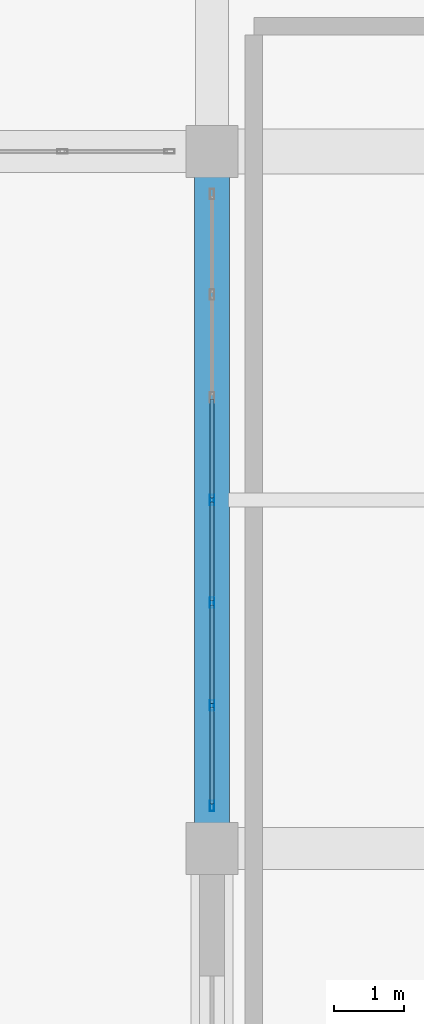
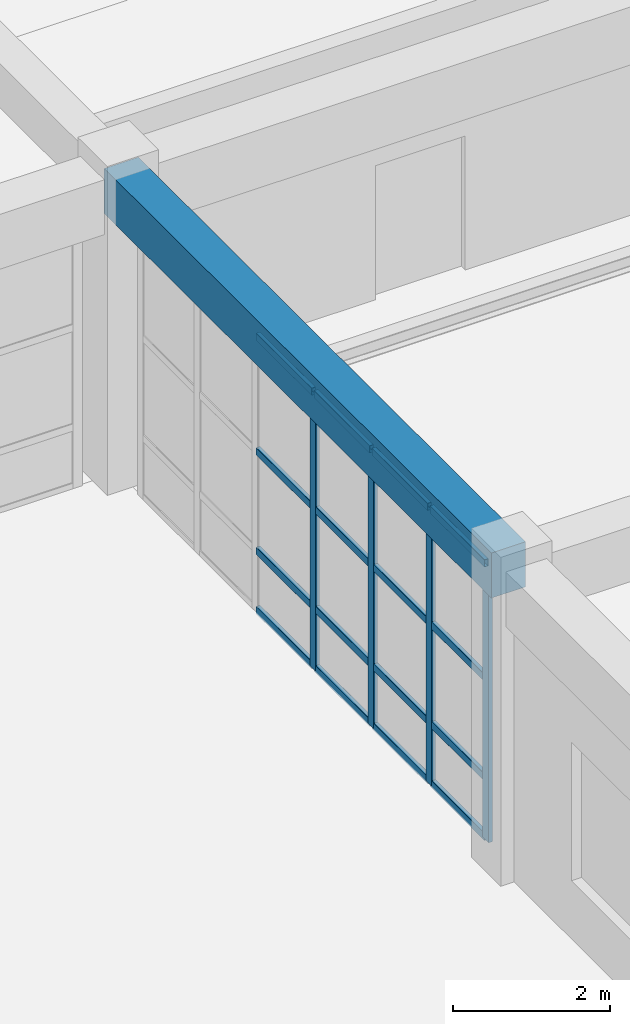
# One storey, part 35 of 128: 20 members, 1 beam, 1 element without a shape of its own.
"""IFC4 building model written with IfcOpenShell, lengths in metres."""

from ifc_helpers import new_model, si_unit, direction, frame, origin, origin_2d, place, context, subcontext, project, spatial, rectangle, hollow_rectangle, extrude, material, material_profile, profile_set, type_object, element, aggregate, save


model = new_model("IFC4")

# Units and contexts
model_context = context("Model", 3, precision=1e-05, world=origin(), true_north=direction((0.0, 1.0)))
body_context = subcontext(model_context, "Body", "Model", "MODEL_VIEW")
ifc_project = project(units=[si_unit("LENGTHUNIT", "METRE"), si_unit("AREAUNIT", "SQUARE_METRE"), si_unit("VOLUMEUNIT", "CUBIC_METRE"), si_unit("PLANEANGLEUNIT", "RADIAN"), si_unit("MASSUNIT", "GRAM", prefix="KILO")], contexts=[model_context])

# Site, building, storey
site_placement = place(None, origin())
site = spatial("IfcSite", under=ifc_project, at=site_placement, CompositionType="ELEMENT")
building_placement = place(site_placement, origin())
building = spatial("IfcBuilding", under=site, at=building_placement, Name="Miravela Opera House", CompositionType="ELEMENT")
storey_placement = place(building_placement, origin())
storey = spatial("IfcBuildingStorey", under=building, at=storey_placement, Name="L00", CompositionType="ELEMENT", Elevation=0.0)

# Curtain wall, members
ifc_material_1 = material(Name="Anodised architectural bronze aluminium 6063-T6", Category="aluminium")
curtain_wall_type = type_object("IfcCurtainWallType", Name="ARC-CW-06", PredefinedType="NOTDEFINED", material=ifc_material_1)
curtain_wall_placement = place(storey_placement, origin())
curtain_wall = element("IfcCurtainWall", 1, at=curtain_wall_placement, inside=storey, type_object=curtain_wall_type, Name="Courtyard Arcade Curtain Wall CW-L00-123", PredefinedType="NOTDEFINED")
ifc_material_profile_1 = material_profile(ifc_material_1, hollow_rectangle(XDim=0.06005859375, YDim=0.14990234375, WallThickness=0.00390625, InnerFilletRadius=0.001953125, OuterFilletRadius=0.00390625, at=origin_2d()), Name="CWM-60X150")
ifc_profile_set_1 = profile_set([ifc_material_profile_1])
member_type_1 = type_object("IfcMemberType", Name="ARC-CWM-150", PredefinedType="MULLION", material=ifc_profile_set_1)
member_1_placement = place(storey_placement, frame((63.0, 18.610107421875, 0.0), z_axis=(0.0, 0.0, 1.0), x_axis=(-1.0, 0.0, 0.0)))
member_1 = element("IfcMember", 2, at=member_1_placement, type_object=member_type_1, Name="CW-06 mullion 1", PredefinedType="MULLION", context=body_context, shape_type="SweptSolid", body=[
    extrude(hollow_rectangle(XDim=0.06005859375, YDim=0.14990234375, WallThickness=0.00390625, InnerFilletRadius=0.001953125, OuterFilletRadius=0.00390625, at=origin_2d()), origin(), (0.0, 0.0, 1.0), 4.300048828125),
])
member_2_placement = place(storey_placement, frame((63.0, 20.05322265625, 0.0), z_axis=(0.0, 0.0, 1.0), x_axis=(-1.0, 0.0, 0.0)))
member_2 = element("IfcMember", 3, at=member_2_placement, type_object=member_type_1, Name="CW-06 mullion 2", PredefinedType="MULLION", context=body_context, shape_type="SweptSolid", body=[
    extrude(hollow_rectangle(XDim=0.06005859375, YDim=0.14990234375, WallThickness=0.00390625, InnerFilletRadius=0.001953125, OuterFilletRadius=0.00390625, at=origin_2d()), origin(), (0.0, 0.0, 1.0), 4.300048828125),
])
member_3_placement = place(storey_placement, frame((63.0, 21.526611328125, 0.0), z_axis=(0.0, 0.0, 1.0), x_axis=(-1.0, 0.0, 0.0)))
member_3 = element("IfcMember", 4, at=member_3_placement, type_object=member_type_1, Name="CW-06 mullion 3", PredefinedType="MULLION", context=body_context, shape_type="SweptSolid", body=[
    extrude(hollow_rectangle(XDim=0.06005859375, YDim=0.14990234375, WallThickness=0.00390625, InnerFilletRadius=0.001953125, OuterFilletRadius=0.00390625, at=origin_2d()), origin(), (0.0, 0.0, 1.0), 4.300048828125),
])
member_4_placement = place(storey_placement, frame((63.0, 23.0, 0.0), z_axis=(0.0, 0.0, 1.0), x_axis=(-1.0, 0.0, 0.0)))
member_4 = element("IfcMember", 5, at=member_4_placement, type_object=member_type_1, Name="CW-06 mullion 4", PredefinedType="MULLION", context=body_context, shape_type="SweptSolid", body=[
    extrude(hollow_rectangle(XDim=0.06005859375, YDim=0.14990234375, WallThickness=0.00390625, InnerFilletRadius=0.001953125, OuterFilletRadius=0.00390625, at=origin_2d()), origin(), (0.0, 0.0, 1.0), 4.300048828125),
])
ifc_material_profile_2 = material_profile(ifc_material_1, hollow_rectangle(XDim=0.06005859375, YDim=0.114990234375, WallThickness=0.00390625, InnerFilletRadius=0.001953125, OuterFilletRadius=0.00390625, at=origin_2d()), Name="CWT-60X115")
ifc_profile_set_2 = profile_set([ifc_material_profile_2])
member_type_2 = type_object("IfcMemberType", Name="ARC-CWT-115", PredefinedType="USERDEFINED", material=ifc_profile_set_2)
member_5_placement = place(storey_placement, frame((63.0, 18.639892578125, 0.030029296875), z_axis=(0.0, 1.0, 0.0), x_axis=(-1.0, 0.0, 0.0)))
member_5 = element("IfcMember", 6, at=member_5_placement, type_object=member_type_2, Name="CW-06 transom 1.1", ObjectType="TRANSOM", PredefinedType="USERDEFINED", context=body_context, shape_type="SweptSolid", body=[
    extrude(hollow_rectangle(XDim=0.06005859375, YDim=0.114990234375, WallThickness=0.00390625, InnerFilletRadius=0.001953125, OuterFilletRadius=0.00390625, at=origin_2d()), origin(), (0.0, 0.0, 1.0), 1.383544921875),
])
member_6_placement = place(storey_placement, frame((63.0, 18.639892578125, 0.949951171875), z_axis=(0.0, 1.0, 0.0), x_axis=(-1.0, 0.0, 0.0)))
member_6 = element("IfcMember", 7, at=member_6_placement, type_object=member_type_2, Name="CW-06 transom 1.2", ObjectType="TRANSOM", PredefinedType="USERDEFINED", context=body_context, shape_type="SweptSolid", body=[
    extrude(hollow_rectangle(XDim=0.06005859375, YDim=0.114990234375, WallThickness=0.00390625, InnerFilletRadius=0.001953125, OuterFilletRadius=0.00390625, at=origin_2d()), origin(), (0.0, 0.0, 1.0), 1.383544921875),
])
member_7_placement = place(storey_placement, frame((63.0, 18.639892578125, 2.493896484375), z_axis=(0.0, 1.0, 0.0), x_axis=(-1.0, 0.0, 0.0)))
member_7 = element("IfcMember", 8, at=member_7_placement, type_object=member_type_2, Name="CW-06 transom 1.3", ObjectType="TRANSOM", PredefinedType="USERDEFINED", context=body_context, shape_type="SweptSolid", body=[
    extrude(hollow_rectangle(XDim=0.06005859375, YDim=0.114990234375, WallThickness=0.00390625, InnerFilletRadius=0.001953125, OuterFilletRadius=0.00390625, at=origin_2d()), origin(), (0.0, 0.0, 1.0), 1.383544921875),
])
member_8_placement = place(storey_placement, frame((63.0, 18.639892578125, 4.27001953125), z_axis=(0.0, 1.0, 0.0), x_axis=(-1.0, 0.0, 0.0)))
member_8 = element("IfcMember", 9, at=member_8_placement, type_object=member_type_2, Name="CW-06 transom 1.4", ObjectType="TRANSOM", PredefinedType="USERDEFINED", context=body_context, shape_type="SweptSolid", body=[
    extrude(hollow_rectangle(XDim=0.06005859375, YDim=0.114990234375, WallThickness=0.00390625, InnerFilletRadius=0.001953125, OuterFilletRadius=0.00390625, at=origin_2d()), origin(), (0.0, 0.0, 1.0), 1.383544921875),
])
member_9_placement = place(storey_placement, frame((63.0, 20.083251953125, 0.030029296875), z_axis=(0.0, 1.0, 0.0), x_axis=(-1.0, 0.0, 0.0)))
member_9 = element("IfcMember", 10, at=member_9_placement, type_object=member_type_2, Name="CW-06 transom 2.1", ObjectType="TRANSOM", PredefinedType="USERDEFINED", context=body_context, shape_type="SweptSolid", body=[
    extrude(hollow_rectangle(XDim=0.06005859375, YDim=0.114990234375, WallThickness=0.00390625, InnerFilletRadius=0.001953125, OuterFilletRadius=0.00390625, at=origin_2d()), origin(), (0.0, 0.0, 1.0), 1.413330078125),
])
member_10_placement = place(storey_placement, frame((63.0, 20.083251953125, 0.949951171875), z_axis=(0.0, 1.0, 0.0), x_axis=(-1.0, 0.0, 0.0)))
member_10 = element("IfcMember", 11, at=member_10_placement, type_object=member_type_2, Name="CW-06 transom 2.2", ObjectType="TRANSOM", PredefinedType="USERDEFINED", context=body_context, shape_type="SweptSolid", body=[
    extrude(hollow_rectangle(XDim=0.06005859375, YDim=0.114990234375, WallThickness=0.00390625, InnerFilletRadius=0.001953125, OuterFilletRadius=0.00390625, at=origin_2d()), origin(), (0.0, 0.0, 1.0), 1.413330078125),
])
member_11_placement = place(storey_placement, frame((63.0, 20.083251953125, 2.493896484375), z_axis=(0.0, 1.0, 0.0), x_axis=(-1.0, 0.0, 0.0)))
member_11 = element("IfcMember", 12, at=member_11_placement, type_object=member_type_2, Name="CW-06 transom 2.3", ObjectType="TRANSOM", PredefinedType="USERDEFINED", context=body_context, shape_type="SweptSolid", body=[
    extrude(hollow_rectangle(XDim=0.06005859375, YDim=0.114990234375, WallThickness=0.00390625, InnerFilletRadius=0.001953125, OuterFilletRadius=0.00390625, at=origin_2d()), origin(), (0.0, 0.0, 1.0), 1.413330078125),
])
member_12_placement = place(storey_placement, frame((63.0, 20.083251953125, 4.27001953125), z_axis=(0.0, 1.0, 0.0), x_axis=(-1.0, 0.0, 0.0)))
member_12 = element("IfcMember", 13, at=member_12_placement, type_object=member_type_2, Name="CW-06 transom 2.4", ObjectType="TRANSOM", PredefinedType="USERDEFINED", context=body_context, shape_type="SweptSolid", body=[
    extrude(hollow_rectangle(XDim=0.06005859375, YDim=0.114990234375, WallThickness=0.00390625, InnerFilletRadius=0.001953125, OuterFilletRadius=0.00390625, at=origin_2d()), origin(), (0.0, 0.0, 1.0), 1.413330078125),
])
member_13_placement = place(storey_placement, frame((63.0, 21.556640625, 0.030029296875), z_axis=(0.0, 1.0, 0.0), x_axis=(-1.0, 0.0, 0.0)))
member_13 = element("IfcMember", 14, at=member_13_placement, type_object=member_type_2, Name="CW-06 transom 3.1", ObjectType="TRANSOM", PredefinedType="USERDEFINED", context=body_context, shape_type="SweptSolid", body=[
    extrude(hollow_rectangle(XDim=0.06005859375, YDim=0.114990234375, WallThickness=0.00390625, InnerFilletRadius=0.001953125, OuterFilletRadius=0.00390625, at=origin_2d()), origin(), (0.0, 0.0, 1.0), 1.413330078125),
])
member_14_placement = place(storey_placement, frame((63.0, 21.556640625, 0.949951171875), z_axis=(0.0, 1.0, 0.0), x_axis=(-1.0, 0.0, 0.0)))
member_14 = element("IfcMember", 15, at=member_14_placement, type_object=member_type_2, Name="CW-06 transom 3.2", ObjectType="TRANSOM", PredefinedType="USERDEFINED", context=body_context, shape_type="SweptSolid", body=[
    extrude(hollow_rectangle(XDim=0.06005859375, YDim=0.114990234375, WallThickness=0.00390625, InnerFilletRadius=0.001953125, OuterFilletRadius=0.00390625, at=origin_2d()), origin(), (0.0, 0.0, 1.0), 1.413330078125),
])
member_15_placement = place(storey_placement, frame((63.0, 21.556640625, 2.493896484375), z_axis=(0.0, 1.0, 0.0), x_axis=(-1.0, 0.0, 0.0)))
member_15 = element("IfcMember", 16, at=member_15_placement, type_object=member_type_2, Name="CW-06 transom 3.3", ObjectType="TRANSOM", PredefinedType="USERDEFINED", context=body_context, shape_type="SweptSolid", body=[
    extrude(hollow_rectangle(XDim=0.06005859375, YDim=0.114990234375, WallThickness=0.00390625, InnerFilletRadius=0.001953125, OuterFilletRadius=0.00390625, at=origin_2d()), origin(), (0.0, 0.0, 1.0), 1.413330078125),
])
member_16_placement = place(storey_placement, frame((63.0, 21.556640625, 4.27001953125), z_axis=(0.0, 1.0, 0.0), x_axis=(-1.0, 0.0, 0.0)))
member_16 = element("IfcMember", 17, at=member_16_placement, type_object=member_type_2, Name="CW-06 transom 3.4", ObjectType="TRANSOM", PredefinedType="USERDEFINED", context=body_context, shape_type="SweptSolid", body=[
    extrude(hollow_rectangle(XDim=0.06005859375, YDim=0.114990234375, WallThickness=0.00390625, InnerFilletRadius=0.001953125, OuterFilletRadius=0.00390625, at=origin_2d()), origin(), (0.0, 0.0, 1.0), 1.413330078125),
])
member_17_placement = place(storey_placement, frame((63.0, 23.030029296875, 0.030029296875), z_axis=(0.0, 1.0, 0.0), x_axis=(-1.0, 0.0, 0.0)))
member_17 = element("IfcMember", 18, at=member_17_placement, type_object=member_type_2, Name="CW-06 transom 4.1", ObjectType="TRANSOM", PredefinedType="USERDEFINED", context=body_context, shape_type="SweptSolid", body=[
    extrude(hollow_rectangle(XDim=0.06005859375, YDim=0.114990234375, WallThickness=0.00390625, InnerFilletRadius=0.001953125, OuterFilletRadius=0.00390625, at=origin_2d()), origin(), (0.0, 0.0, 1.0), 1.413330078125),
])
member_18_placement = place(storey_placement, frame((63.0, 23.030029296875, 0.949951171875), z_axis=(0.0, 1.0, 0.0), x_axis=(-1.0, 0.0, 0.0)))
member_18 = element("IfcMember", 19, at=member_18_placement, type_object=member_type_2, Name="CW-06 transom 4.2", ObjectType="TRANSOM", PredefinedType="USERDEFINED", context=body_context, shape_type="SweptSolid", body=[
    extrude(hollow_rectangle(XDim=0.06005859375, YDim=0.114990234375, WallThickness=0.00390625, InnerFilletRadius=0.001953125, OuterFilletRadius=0.00390625, at=origin_2d()), origin(), (0.0, 0.0, 1.0), 1.413330078125),
])
member_19_placement = place(storey_placement, frame((63.0, 23.030029296875, 2.493896484375), z_axis=(0.0, 1.0, 0.0), x_axis=(-1.0, 0.0, 0.0)))
member_19 = element("IfcMember", 20, at=member_19_placement, type_object=member_type_2, Name="CW-06 transom 4.3", ObjectType="TRANSOM", PredefinedType="USERDEFINED", context=body_context, shape_type="SweptSolid", body=[
    extrude(hollow_rectangle(XDim=0.06005859375, YDim=0.114990234375, WallThickness=0.00390625, InnerFilletRadius=0.001953125, OuterFilletRadius=0.00390625, at=origin_2d()), origin(), (0.0, 0.0, 1.0), 1.413330078125),
])
member_20_placement = place(storey_placement, frame((63.0, 23.030029296875, 4.27001953125), z_axis=(0.0, 1.0, 0.0), x_axis=(-1.0, 0.0, 0.0)))
member_20 = element("IfcMember", 21, at=member_20_placement, type_object=member_type_2, Name="CW-06 transom 4.4", ObjectType="TRANSOM", PredefinedType="USERDEFINED", context=body_context, shape_type="SweptSolid", body=[
    extrude(hollow_rectangle(XDim=0.06005859375, YDim=0.114990234375, WallThickness=0.00390625, InnerFilletRadius=0.001953125, OuterFilletRadius=0.00390625, at=origin_2d()), origin(), (0.0, 0.0, 1.0), 1.413330078125),
])
aggregate(curtain_wall, [member_1, member_2, member_3, member_4, member_5, member_6, member_7, member_8, member_9, member_10, member_11, member_12, member_13, member_14, member_15, member_16, member_17, member_18, member_19, member_20])

# Beam
ifc_material_2 = material(Name="Concrete C35/45", Category="concrete")
ifc_material_profile_3 = material_profile(ifc_material_2, rectangle(XDim=0.5, YDim=0.699951171875, at=origin_2d()), Name="RC-BM-500X700")
ifc_profile_set_3 = profile_set([ifc_material_profile_3])
beam_type = type_object("IfcBeamType", Name="STR-BM-RC500X700", PredefinedType="BEAM", material=ifc_profile_set_3)
beam_placement = place(storey_placement, frame((63.0, 18.080078125, 4.5), z_axis=(0.0, 1.0, 0.0), x_axis=(-1.0, 0.0, 0.0)))
element("IfcBeam", 22, at=beam_placement, inside=storey, type_object=beam_type, Name="Floor Girder L00 8/C-D", PredefinedType="BEAM", context=body_context, shape_type="SweptSolid", body=[
    extrude(rectangle(XDim=0.5, YDim=0.699951171875, at=origin_2d()), origin(), (0.0, 0.0, 1.0), 9.83984375),
])

save(model, "model.ifc")
